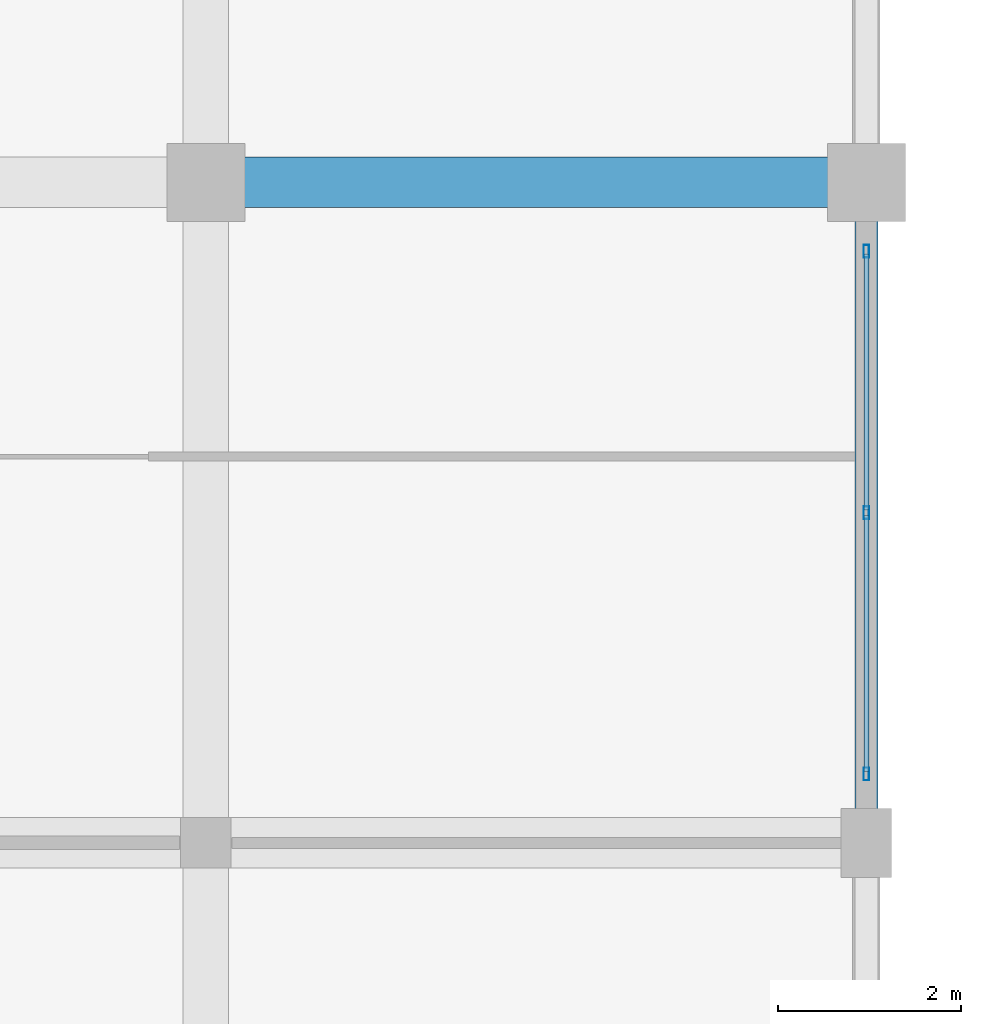
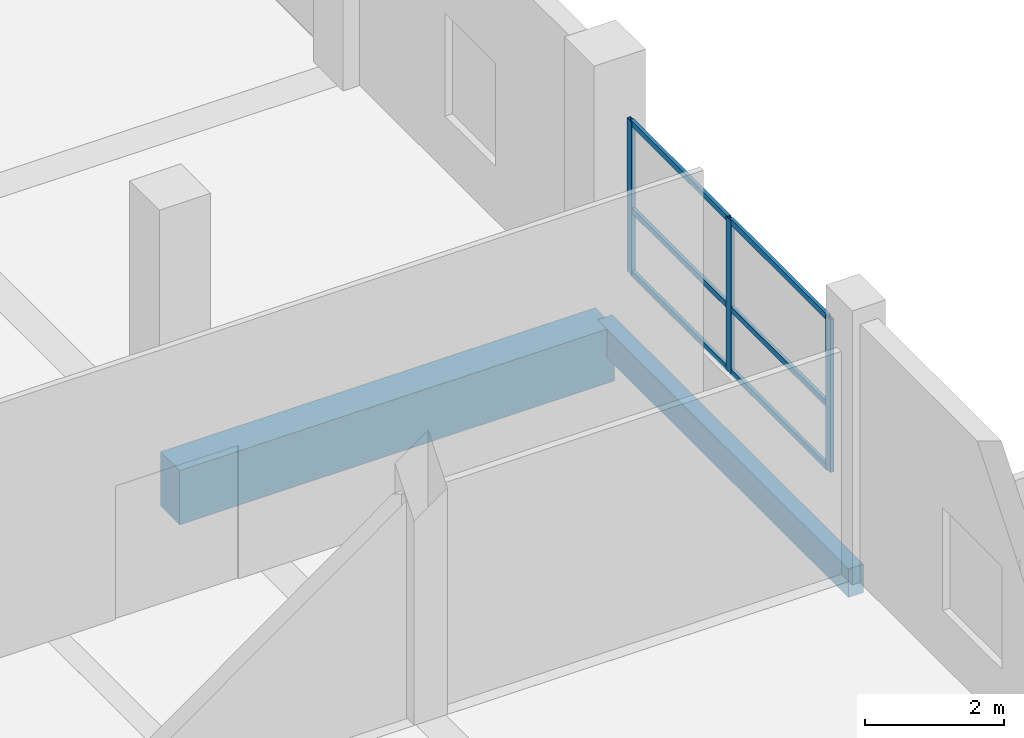
# One storey, part 123 of 181: 9 members, 2 beams, 1 element without a shape of its own.
"""IFC4 building model written with IfcOpenShell, lengths in metres."""

from ifc_helpers import new_model, si_unit, direction, frame, origin, origin_2d, place, context, subcontext, project, spatial, rectangle, hollow_rectangle, extrude, material, layer, layer_set, material_profile, profile_set, type_object, element, aggregate, save


model = new_model("IFC4")

# Units and contexts
model_context = context("Model", 3, precision=1e-05, world=origin(), true_north=direction((0.0, 1.0)))
body_context = subcontext(model_context, "Body", "Model", "MODEL_VIEW")
ifc_project = project(units=[si_unit("LENGTHUNIT", "METRE"), si_unit("AREAUNIT", "SQUARE_METRE"), si_unit("VOLUMEUNIT", "CUBIC_METRE"), si_unit("PLANEANGLEUNIT", "RADIAN"), si_unit("MASSUNIT", "GRAM", prefix="KILO")], contexts=[model_context])

# Site, building, storey
site_placement = place(None, origin())
site = spatial("IfcSite", under=ifc_project, at=site_placement, CompositionType="ELEMENT")
building_placement = place(site_placement, origin())
building = spatial("IfcBuilding", under=site, at=building_placement, Name="Seraya Terrace Polytechnic", CompositionType="ELEMENT")
storey_placement = place(building_placement, frame((0.0, 0.0, 4.800048828125)))
storey = spatial("IfcBuildingStorey", under=building, at=storey_placement, Name="L01", CompositionType="ELEMENT", Elevation=4.800048828125)

# Beam
ifc_material_1 = material(Name="Concrete C40/50", Category="concrete")
ifc_material_profile_1 = material_profile(ifc_material_1, rectangle(XDim=0.550048828125, YDim=0.949951171875, at=origin_2d()), Name="RC 550x950")
ifc_profile_set_1 = profile_set([ifc_material_profile_1], Name="Concrete C40/50")
beam_type_1 = type_object("IfcBeamType", Name="BM-03", PredefinedType="BEAM", material=ifc_profile_set_1)
beam_1_placement = place(storey_placement, frame((158.39990234375, 43.199951171875, -0.47509765625), z_axis=(1.0, 0.0, 0.0), x_axis=(0.0, 1.0, 0.0)))
element("IfcBeam", 1, at=beam_1_placement, inside=storey, type_object=beam_type_1, Name="Beam BM-03 L01 X (158.4..165.6, 43.2)", PredefinedType="BEAM", context=body_context, shape_type="SweptSolid", body=[
    extrude(rectangle(XDim=0.550048828125, YDim=0.949951171875, at=origin_2d()), origin(), (0.0, 0.0, 1.0), 7.2001953125),
])

# Curtain wall, members
ifc_material_2 = material(Name="Anodised aluminium EN AW-6063 T6", Category="aluminium")
ifc_layer = layer(ifc_material_2, 0.179931640625, Name="CW-24")
ifc_layer_set = layer_set([ifc_layer], Name="Anodised aluminium EN AW-6063 T6")
curtain_wall_type = type_object("IfcCurtainWallType", Name="CW-24", PredefinedType="NOTDEFINED", material=ifc_layer_set)
curtain_wall_placement = place(storey_placement, origin())
curtain_wall = element("IfcCurtainWall", 2, at=curtain_wall_placement, inside=storey, type_object=curtain_wall_type, Name="Unitised curtain wall CW-24 (CW-L01-024)", PredefinedType="NOTDEFINED")
ifc_material_profile_2 = material_profile(ifc_material_2, hollow_rectangle(XDim=0.06005859375, YDim=0.139892578125, WallThickness=0.00341796875, at=origin_2d()), Name="RHS 140x60x3.5")
ifc_profile_set_2 = profile_set([ifc_material_profile_2], Name="Anodised aluminium EN AW-6063 T6")
member_type_1 = type_object("IfcMemberType", Name="CWM-03", PredefinedType="MULLION", material=ifc_profile_set_2)
member_1_placement = place(storey_placement, frame((165.60009765625, 42.449951171875, 1.239990234375), z_axis=(0.0, 0.0, 1.0), x_axis=(1.0, 0.0, 0.0)))
member_1 = element("IfcMember", 3, at=member_1_placement, type_object=member_type_1, Name="CW-24 mullion 1", PredefinedType="MULLION", context=body_context, shape_type="SweptSolid", body=[
    extrude(hollow_rectangle(XDim=0.06005859375, YDim=0.139892578125, WallThickness=0.00341796875, at=origin_2d()), origin(), (0.0, 0.0, 1.0), 2.679931640625),
])
member_2_placement = place(storey_placement, frame((165.60009765625, 39.60009765625, 1.239990234375), z_axis=(0.0, 0.0, 1.0), x_axis=(1.0, 0.0, 0.0)))
member_2 = element("IfcMember", 4, at=member_2_placement, type_object=member_type_1, Name="CW-24 mullion 2", PredefinedType="MULLION", context=body_context, shape_type="SweptSolid", body=[
    extrude(hollow_rectangle(XDim=0.06005859375, YDim=0.139892578125, WallThickness=0.00341796875, at=origin_2d()), origin(), (0.0, 0.0, 1.0), 2.679931640625),
])
member_3_placement = place(storey_placement, frame((165.60009765625, 36.75, 1.239990234375), z_axis=(0.0, 0.0, 1.0), x_axis=(1.0, 0.0, 0.0)))
member_3 = element("IfcMember", 5, at=member_3_placement, type_object=member_type_1, Name="CW-24 mullion 3", PredefinedType="MULLION", context=body_context, shape_type="SweptSolid", body=[
    extrude(hollow_rectangle(XDim=0.06005859375, YDim=0.139892578125, WallThickness=0.00341796875, at=origin_2d()), origin(), (0.0, 0.0, 1.0), 2.679931640625),
])
ifc_material_profile_3 = material_profile(ifc_material_2, hollow_rectangle(XDim=0.054931640625, YDim=0.10009765625, WallThickness=0.0029296875, at=origin_2d()), Name="RHS 100x55x3.0")
ifc_profile_set_3 = profile_set([ifc_material_profile_3], Name="Anodised aluminium EN AW-6063 T6")
member_type_2 = type_object("IfcMemberType", Name="CWT-03", PredefinedType="USERDEFINED", material=ifc_profile_set_3)
member_4_placement = place(storey_placement, frame((165.60009765625, 42.419921875, 1.267333984375), z_axis=(0.0, -1.0, 0.0), x_axis=(1.0, 0.0, 0.0)))
member_4 = element("IfcMember", 6, at=member_4_placement, type_object=member_type_2, Name="CW-24 transom 1.1", ObjectType="TRANSOM", PredefinedType="USERDEFINED", context=body_context, shape_type="SweptSolid", body=[
    extrude(hollow_rectangle(XDim=0.054931640625, YDim=0.10009765625, WallThickness=0.0029296875, at=origin_2d()), origin(), (0.0, 0.0, 1.0), 2.7900390625),
])
member_5_placement = place(storey_placement, frame((165.60009765625, 42.419921875, 2.365478515625), z_axis=(0.0, -1.0, 0.0), x_axis=(1.0, 0.0, 0.0)))
member_5 = element("IfcMember", 7, at=member_5_placement, type_object=member_type_2, Name="CW-24 transom 1.2", ObjectType="TRANSOM", PredefinedType="USERDEFINED", context=body_context, shape_type="SweptSolid", body=[
    extrude(hollow_rectangle(XDim=0.054931640625, YDim=0.10009765625, WallThickness=0.0029296875, at=origin_2d()), origin(), (0.0, 0.0, 1.0), 2.7900390625),
])
member_6_placement = place(storey_placement, frame((165.60009765625, 42.419921875, 3.892333984375), z_axis=(0.0, -1.0, 0.0), x_axis=(1.0, 0.0, 0.0)))
member_6 = element("IfcMember", 8, at=member_6_placement, type_object=member_type_2, Name="CW-24 transom 1.3", ObjectType="TRANSOM", PredefinedType="USERDEFINED", context=body_context, shape_type="SweptSolid", body=[
    extrude(hollow_rectangle(XDim=0.054931640625, YDim=0.10009765625, WallThickness=0.0029296875, at=origin_2d()), origin(), (0.0, 0.0, 1.0), 2.7900390625),
])
member_7_placement = place(storey_placement, frame((165.60009765625, 39.570068359375, 1.267333984375), z_axis=(0.0, -1.0, 0.0), x_axis=(1.0, 0.0, 0.0)))
member_7 = element("IfcMember", 9, at=member_7_placement, type_object=member_type_2, Name="CW-24 transom 2.1", ObjectType="TRANSOM", PredefinedType="USERDEFINED", context=body_context, shape_type="SweptSolid", body=[
    extrude(hollow_rectangle(XDim=0.054931640625, YDim=0.10009765625, WallThickness=0.0029296875, at=origin_2d()), origin(), (0.0, 0.0, 1.0), 2.7900390625),
])
member_8_placement = place(storey_placement, frame((165.60009765625, 39.570068359375, 2.365478515625), z_axis=(0.0, -1.0, 0.0), x_axis=(1.0, 0.0, 0.0)))
member_8 = element("IfcMember", 10, at=member_8_placement, type_object=member_type_2, Name="CW-24 transom 2.2", ObjectType="TRANSOM", PredefinedType="USERDEFINED", context=body_context, shape_type="SweptSolid", body=[
    extrude(hollow_rectangle(XDim=0.054931640625, YDim=0.10009765625, WallThickness=0.0029296875, at=origin_2d()), origin(), (0.0, 0.0, 1.0), 2.7900390625),
])
member_9_placement = place(storey_placement, frame((165.60009765625, 39.570068359375, 3.892333984375), z_axis=(0.0, -1.0, 0.0), x_axis=(1.0, 0.0, 0.0)))
member_9 = element("IfcMember", 11, at=member_9_placement, type_object=member_type_2, Name="CW-24 transom 2.3", ObjectType="TRANSOM", PredefinedType="USERDEFINED", context=body_context, shape_type="SweptSolid", body=[
    extrude(hollow_rectangle(XDim=0.054931640625, YDim=0.10009765625, WallThickness=0.0029296875, at=origin_2d()), origin(), (0.0, 0.0, 1.0), 2.7900390625),
])
aggregate(curtain_wall, [member_1, member_2, member_3, member_4, member_5, member_6, member_7, member_8, member_9])

# Beam
ifc_material_profile_4 = material_profile(ifc_material_1, rectangle(XDim=0.25, YDim=0.5, at=origin_2d()), Name="RC 250x500")
ifc_profile_set_4 = profile_set([ifc_material_profile_4], Name="Concrete C40/50")
beam_type_2 = type_object("IfcBeamType", Name="SP-03", PredefinedType="SPANDREL", material=ifc_profile_set_4)
beam_2_placement = place(storey_placement, frame((165.60009765625, 36.0, -0.25), z_axis=(0.0, 1.0, 0.0), x_axis=(-1.0, 0.0, 0.0)))
element("IfcBeam", 12, at=beam_2_placement, inside=storey, type_object=beam_type_2, Name="Beam SP-03 L01 Y (165.6, 36.0..43.2)", PredefinedType="SPANDREL", context=body_context, shape_type="SweptSolid", body=[
    extrude(rectangle(XDim=0.25, YDim=0.5, at=origin_2d()), origin(), (0.0, 0.0, 1.0), 7.199951171875),
])

save(model, "model.ifc")
